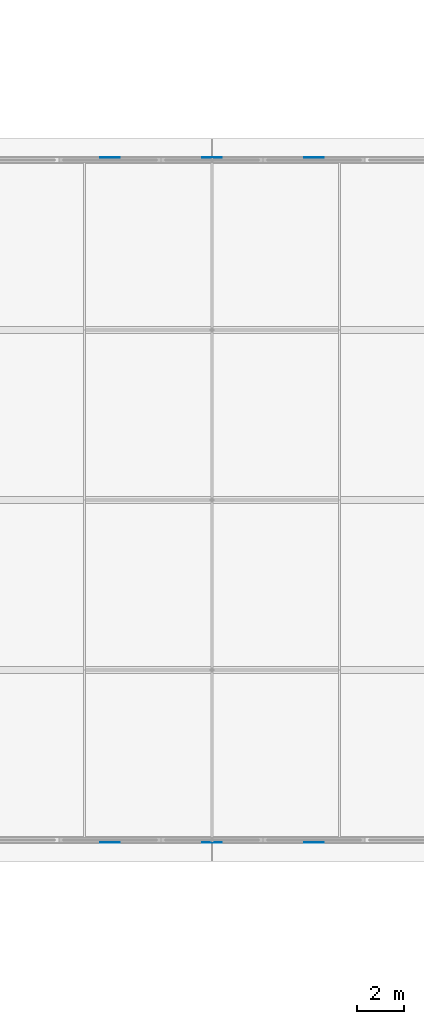
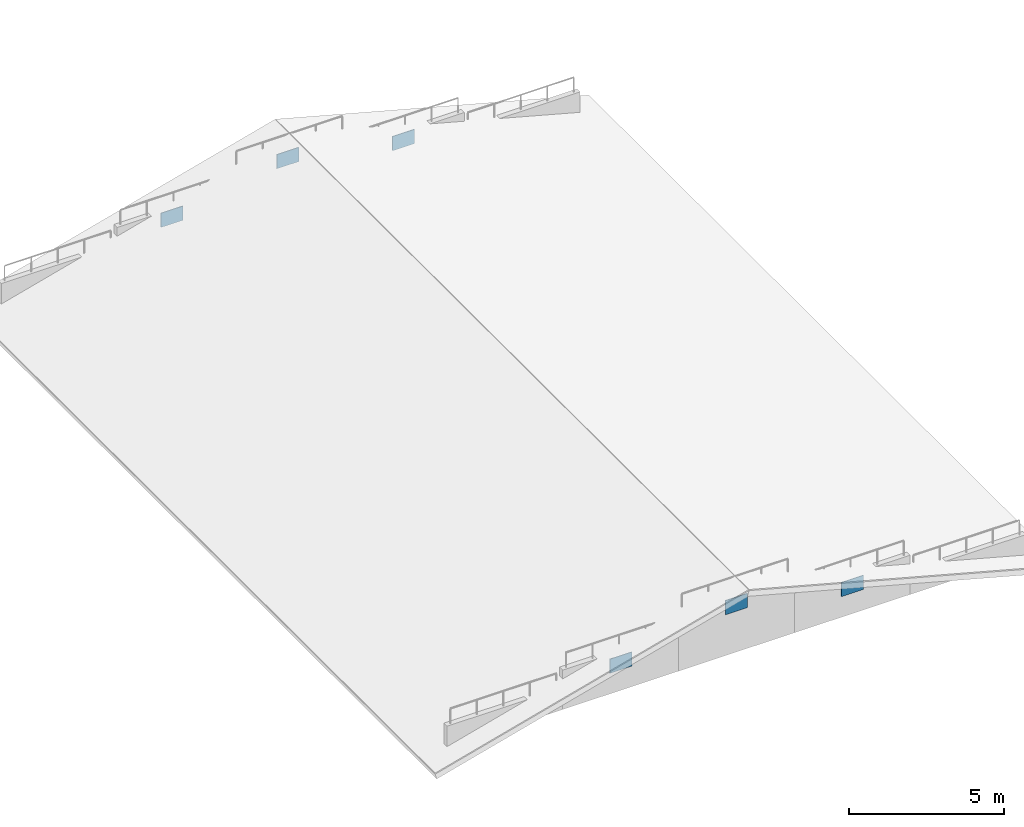
# One storey, part 44 of 65: 6 plates.
"""IFC4 building model written with IfcOpenShell, lengths in metres."""

import ifcopenshell
import ifcopenshell.guid

model = None  # the IFC model being written
_history = None  # IfcOwnerHistory: only IFC2X3 demands one
_inside = {}  # id of a spatial element -> (the spatial element, [elements in it])
_under = {}  # id of a project, library or spatial element -> (it, [spatial elements below it])
_declared = {}  # id of a project -> (the project, [libraries it declares])
_typed = {}  # id of a type object -> (the type object, [elements of that type])
_made_of = {}  # id of a material, layer set ... -> (it, [elements and type objects made of it])


def new_model(schema):
    """Start an empty IFC model of exactly this schema.

    Asked for "IFC4X3", IfcOpenShell would pick the latest addendum, in which some entities
    have other attributes; the version numbers below select the first issue.
    IFC2X3 requires an IfcOwnerHistory on every rooted entity: one is made here for all.
    """
    global model, _history
    if schema == "IFC4X3":
        model = ifcopenshell.file(schema_version=(4, 3, 0, 0))
    else:
        model = ifcopenshell.file(schema=schema)
    _inside.clear()
    _under.clear()
    _declared.clear()
    _typed.clear()
    _made_of.clear()
    _history = None
    if model.schema == "IFC2X3":
        org = make("IfcOrganization", Name="unknown")
        user = make(
            "IfcPersonAndOrganization",
            ThePerson=make("IfcPerson", FamilyName="unknown"),
            TheOrganization=org,
        )
        app = make(
            "IfcApplication",
            ApplicationDeveloper=org,
            Version="unknown",
            ApplicationFullName="unknown",
            ApplicationIdentifier="unknown",
        )
        _history = make(
            "IfcOwnerHistory",
            OwningUser=user,
            OwningApplication=app,
            ChangeAction="ADDED",
            CreationDate=0,
        )
    return model


def make(cls, **values):
    """One entity of the class cls with the attributes given. An attribute that is None is left unset."""
    return model.create_entity(
        cls, **{name: value for name, value in values.items() if value is not None}
    )


def rooted(cls, **values):
    """An entity with a GlobalId (a new one), such as an element, a storey or a relation."""
    return make(cls, GlobalId=ifcopenshell.guid.new(), OwnerHistory=_history, **values)


def si_unit(unit_type, name, prefix=None):
    """IfcSIUnit, for example si_unit("LENGTHUNIT", "METRE", prefix="MILLI")."""
    return make("IfcSIUnit", UnitType=unit_type, Prefix=prefix, Name=name)


def assignment(units):
    """IfcUnitAssignment: the units of a project."""
    return None if units is None else make("IfcUnitAssignment", Units=units)


def point(xyz):
    """IfcCartesianPoint."""
    return None if xyz is None else make("IfcCartesianPoint", Coordinates=xyz)


def direction(xyz):
    """IfcDirection."""
    return None if xyz is None else make("IfcDirection", DirectionRatios=xyz)


def frame(location, z_axis=None, x_axis=None):
    """IfcAxis2Placement3D, a coordinate frame: its origin and axes. An axis left out is left unset."""
    return make(
        "IfcAxis2Placement3D",
        Location=point(location),
        Axis=direction(z_axis),
        RefDirection=direction(x_axis),
    )


def frame_2d(location, x_axis=None):
    """IfcAxis2Placement2D, a coordinate frame in the plane: its origin and x axis."""
    return make(
        "IfcAxis2Placement2D", Location=point(location), RefDirection=direction(x_axis)
    )


def origin():
    """The frame at (0, 0, 0) with its axes left unset."""
    return frame((0.0, 0.0, 0.0))


def origin_2d():
    """The frame at (0, 0) in the plane with its x axis left unset."""
    return frame_2d((0.0, 0.0))


def place(relative_to, where):
    """IfcLocalPlacement: puts the frame where relative to a parent placement (None: the world)."""
    return make(
        "IfcLocalPlacement", PlacementRelTo=relative_to, RelativePlacement=where
    )


def context(
    kind, dimensions, precision=None, world=None, true_north=None, identifier=None
):
    """IfcGeometricRepresentationContext, for example the 3D "Model" context."""
    return make(
        "IfcGeometricRepresentationContext",
        ContextIdentifier=identifier,
        ContextType=kind,
        CoordinateSpaceDimension=dimensions,
        Precision=precision,
        WorldCoordinateSystem=world,
        TrueNorth=true_north,
    )


def subcontext(parent, identifier, kind, view, scale=None):
    """IfcGeometricRepresentationSubContext, for example "Body" below "Model"."""
    return make(
        "IfcGeometricRepresentationSubContext",
        ContextIdentifier=identifier,
        ContextType=kind,
        ParentContext=parent,
        TargetScale=scale,
        TargetView=view,
    )


def project(units=None, contexts=None):
    """IfcProject with its units and contexts."""
    return rooted(
        "IfcProject",
        Name="project",
        RepresentationContexts=contexts,
        UnitsInContext=assignment(units),
    )


def spatial(cls, under=None, at=None, **own):
    """A site, building, storey or space (cls), placed at a placement, below another one or the project."""
    s = rooted(cls, ObjectPlacement=at, **own)
    if under is not None:
        _under.setdefault(under.id(), (under, []))[1].append(s)
    return s


def profile(cls, at=None, kind="AREA", **sizes):
    """A parametric profile (cls). Its sizes go by their IFC names, for example OverallWidth=200.0."""
    return make(cls, ProfileType=kind, Position=at, **sizes)


def rectangle(**sizes):
    """IfcRectangleProfileDef."""
    return profile("IfcRectangleProfileDef", **sizes)


def extrude(swept, where, along, depth):
    """IfcExtrudedAreaSolid: the profile swept, set in the frame where, extruded along a direction by depth."""
    return make(
        "IfcExtrudedAreaSolid",
        SweptArea=swept,
        Position=where,
        ExtrudedDirection=direction(along),
        Depth=depth,
    )


def shape(context_of_items, identifier, shape_type, items):
    """IfcShapeRepresentation: the items that make up one representation, for example the "Body"."""
    return make(
        "IfcShapeRepresentation",
        ContextOfItems=context_of_items,
        RepresentationIdentifier=identifier,
        RepresentationType=shape_type,
        Items=items,
    )


def material(Name=None, Category=None):
    """IfcMaterial."""
    return make("IfcMaterial", Name=Name, Category=Category)


def layer(
    of_material, thickness, ventilated=None, Name=None, Category=None, Priority=None
):
    """IfcMaterialLayer: one layer of a wall or slab, of a material (None: an air gap)."""
    return make(
        "IfcMaterialLayer",
        Material=of_material,
        LayerThickness=thickness,
        IsVentilated=ventilated,
        Name=Name,
        Category=Category,
        Priority=Priority,
    )


def layer_set(layers, Name=None):
    """IfcMaterialLayerSet."""
    return make("IfcMaterialLayerSet", MaterialLayers=layers, LayerSetName=Name)


def made_of(thing, what):
    """Note that an element or type object is made of a material, layer set ...; save() writes the relation."""
    if what is not None:
        _made_of.setdefault(what.id(), (what, []))[1].append(thing)
    return thing


def type_object(cls, material=None, **own):
    """A type object (cls), such as IfcWallType, which elements share."""
    return made_of(rooted(cls, **own), material)


def element(
    cls,
    number,
    at=None,
    inside=None,
    cuts=None,
    type_object=None,
    material=None,
    context=None,
    identifier="Body",
    shape_type=None,
    held_by="IfcProductDefinitionShape",
    body=None,
    shapes=None,
    **own,
):
    """One element of the class cls, such as IfcWall. Its Tag is "e" and its number.

    at: its placement. inside: the storey or other place that contains it. cuts: it is an
    opening in that element (IfcRelVoidsElement). A single representation is given by context,
    identifier, shape_type and body (its items); several are given by shapes. held_by: the class
    of the entity that holds the representations. save() writes the other relations.
    """
    e = rooted(cls, Tag="e%d" % number, ObjectPlacement=at, **own)
    if body is not None:
        shapes = [shape(context, identifier, shape_type, body)]
    if shapes is not None:
        e.Representation = make(held_by, Representations=shapes)
    if inside is not None:
        _inside.setdefault(inside.id(), (inside, []))[1].append(e)
    if cuts is not None:
        rooted(
            "IfcRelVoidsElement", RelatingBuildingElement=cuts, RelatedOpeningElement=e
        )
    if type_object is not None:
        _typed.setdefault(type_object.id(), (type_object, []))[1].append(e)
    return made_of(e, material)


def aggregate(whole, parts):
    """IfcRelAggregates: a whole, such as a stair, and the parts it consists of."""
    return rooted("IfcRelAggregates", RelatingObject=whole, RelatedObjects=parts)


def save(model, path):
    """Write the relations noted so far, then the file.

    IfcRelAggregates (storeys below a building ...), IfcRelContainedInSpatialStructure (elements
    in a storey), IfcRelDefinesByType, IfcRelAssociatesMaterial and IfcRelDeclares: one each for
    every whole, place, type object, material and project.
    """
    for whole, parts in _under.values():
        aggregate(whole, parts)
    for where, things in _inside.values():
        rooted(
            "IfcRelContainedInSpatialStructure",
            RelatedElements=things,
            RelatingStructure=where,
        )
    for kind, things in _typed.values():
        rooted("IfcRelDefinesByType", RelatedObjects=things, RelatingType=kind)
    for what, things in _made_of.values():
        rooted("IfcRelAssociatesMaterial", RelatedObjects=things, RelatingMaterial=what)
    for by, libraries in _declared.values():
        rooted("IfcRelDeclares", RelatingContext=by, RelatedDefinitions=libraries)
    model.write(path)


model = new_model("IFC4")

# Units and contexts
model_context = context("Model", 3, precision=1e-05, world=origin(), true_north=direction((0.0, 1.0)))
body_context = subcontext(model_context, "Body", "Model", "MODEL_VIEW")
ifc_project = project(units=[si_unit("LENGTHUNIT", "METRE"), si_unit("AREAUNIT", "SQUARE_METRE"), si_unit("VOLUMEUNIT", "CUBIC_METRE"), si_unit("PLANEANGLEUNIT", "RADIAN"), si_unit("MASSUNIT", "GRAM", prefix="KILO"), si_unit("THERMODYNAMICTEMPERATUREUNIT", "KELVIN"), si_unit("POWERUNIT", "WATT")], contexts=[model_context])

# Site, building, storey
site_placement = place(None, origin())
site = spatial("IfcSite", under=ifc_project, at=site_placement, CompositionType="ELEMENT")
building_placement = place(site_placement, origin())
building = spatial("IfcBuilding", under=site, at=building_placement, Name="Tavuni Mirador Residences", CompositionType="ELEMENT")
storey_placement = place(building_placement, frame((0.0, 0.0, 29.699951171875)))
storey = spatial("IfcBuildingStorey", under=building, at=storey_placement, Name="L09", CompositionType="ELEMENT", Elevation=29.699951171875)

# Plates
ifc_material = material(Name="Structural steel S355", Category="steel")
ifc_layer = layer(ifc_material, 0.028076171875, Name="Structural steel S355", Category="steel")
ifc_layer_set = layer_set([ifc_layer], Name="Structural steel S355")
plate_type = type_object("IfcPlateType", Name="PLT-GP09", PredefinedType="USERDEFINED", material=ifc_layer_set)
for number, where, z_axis, x_axis, name in (
    (1, (10.080078125, 64.693603515625, 0.820068359375), (0.0, 0.0, 1.0), (1.0, 0.0, 0.0), "TRENC-BLK-B-X0-1"),
    (2, (14.39990234375, 64.693603515625, 1.6201171875), (0.0, 0.0, 1.0), (1.0, 0.0, 0.0), "TRENC-BLK-B-X0-2"),
    (3, (18.719970703125, 64.693603515625, 0.820068359375), (0.0, 0.0, 1.0), (1.0, 0.0, 0.0), "TRENC-BLK-B-X0-3"),
    (4, (10.080078125, 93.70654296875, 0.820068359375), (0.0, 0.0, 1.0), (1.0, 0.0, 0.0), "TRENC-BLK-B-X1-1"),
    (5, (14.39990234375, 93.70654296875, 1.6201171875), (0.0, 0.0, 1.0), (1.0, 0.0, 0.0), "TRENC-BLK-B-X1-2"),
    (6, (18.719970703125, 93.70654296875, 0.820068359375), (0.0, 0.0, 1.0), (1.0, 0.0, 0.0), "TRENC-BLK-B-X1-3"),
):
    element("IfcPlate", number, at=place(storey_placement, frame(where, z_axis=z_axis, x_axis=x_axis)), inside=storey, type_object=plate_type, Name=name, ObjectType="GUSSET PLATE", PredefinedType="USERDEFINED", context=body_context, shape_type="SweptSolid", body=[
        extrude(rectangle(XDim=0.820068359375, YDim=0.028076171875, at=origin_2d()), origin(), (0.0, 0.0, 1.0), 0.56005859375),
    ])

save(model, "model.ifc")
